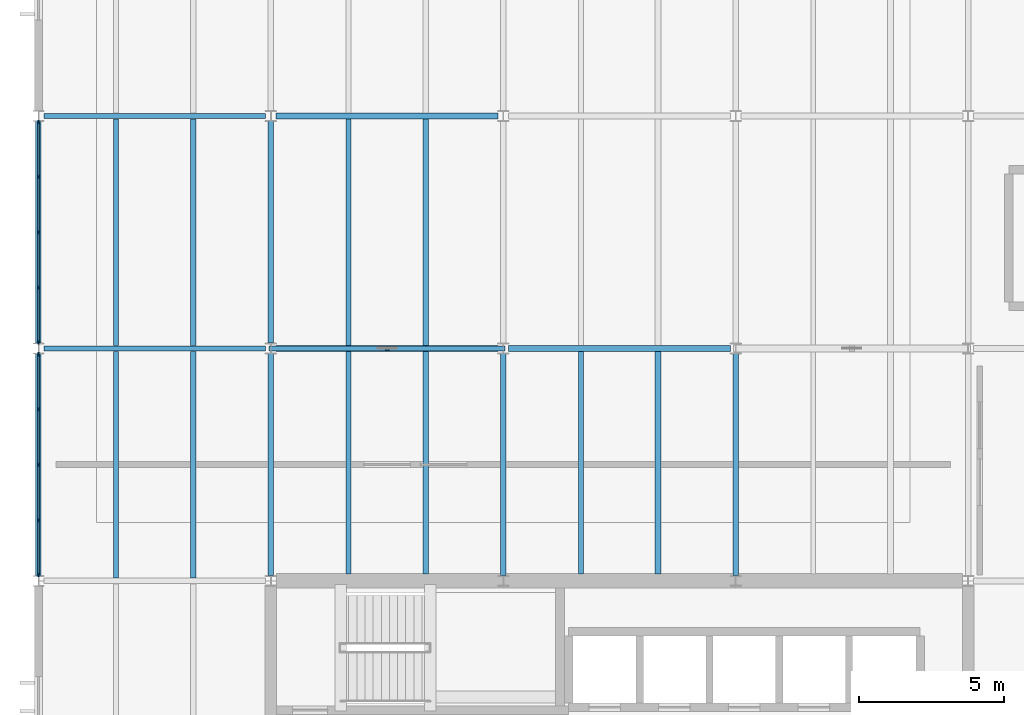
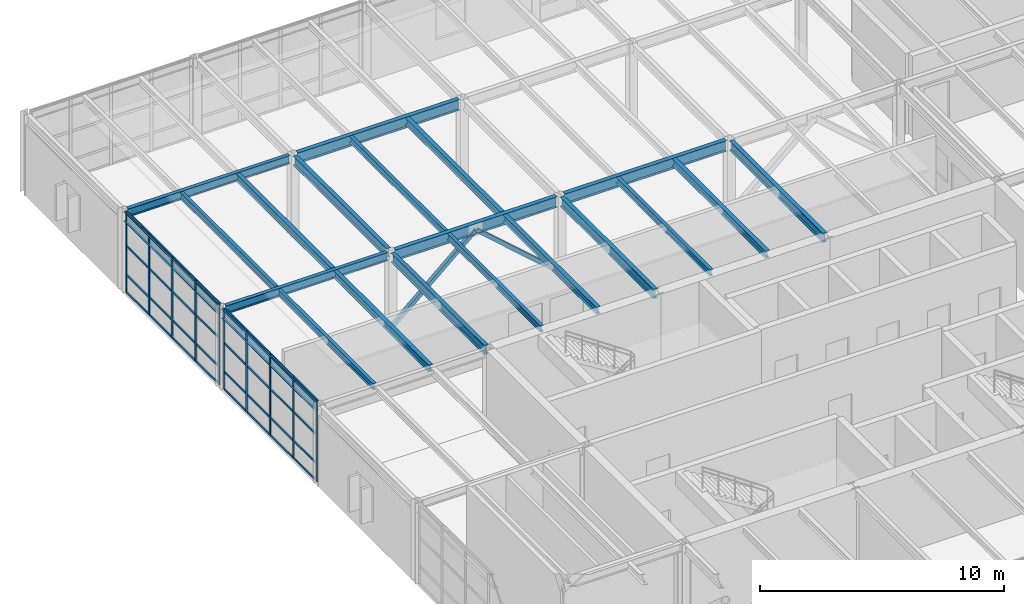
# One storey, part 12 of 34: 44 members, 21 beams, 2 elements without a shape of their own.
"""IFC4 building model written with IfcOpenShell, lengths in metres."""

from ifc_helpers import new_model, si_unit, direction, frame, origin, origin_2d, place, context, subcontext, project, spatial, rectangle, hollow_rectangle, i_section, extrude, material, layer, layer_set, material_profile, profile_set, type_object, element, aggregate, save


model = new_model("IFC4")

# Units and contexts
model_context = context("Model", 3, precision=1e-05, world=origin(), true_north=direction((0.0, 1.0)))
body_context = subcontext(model_context, "Body", "Model", "MODEL_VIEW")
ifc_project = project(units=[si_unit("LENGTHUNIT", "METRE"), si_unit("AREAUNIT", "SQUARE_METRE"), si_unit("VOLUMEUNIT", "CUBIC_METRE"), si_unit("PLANEANGLEUNIT", "RADIAN"), si_unit("MASSUNIT", "GRAM", prefix="KILO")], contexts=[model_context])

# Site, building, storey
site_placement = place(None, origin())
site = spatial("IfcSite", under=ifc_project, at=site_placement, CompositionType="ELEMENT")
building_placement = place(site_placement, origin())
building = spatial("IfcBuilding", under=site, at=building_placement, Name="Varnela Railside Interchange", CompositionType="ELEMENT")
storey_placement = place(building_placement, frame((0.0, 0.0, 19.60009765625)))
storey = spatial("IfcBuildingStorey", under=building, at=storey_placement, Name="L04", CompositionType="ELEMENT", Elevation=19.60009765625)

# Beams
ifc_material_1 = material(Name="Steel AR 350 (350 MPa)", Category="steel")
ifc_material_profile_1 = material_profile(ifc_material_1, i_section(OverallWidth=0.1650390625, OverallDepth=0.31005859375, WebThickness=0.005859375, FlangeThickness=0.009765625, at=origin_2d()), Name="W310x38.7")
ifc_profile_set_1 = profile_set([ifc_material_profile_1], Name="Steel AR 350 (350 MPa)")
beam_type_1 = type_object("IfcBeamType", Name="Composite Floor Joist J-04", PredefinedType="JOIST", material=ifc_profile_set_1)
for number, where, z_axis, x_axis, name in (
    (1, (6.669921875, 70.1044921875, 3.864990234375), (0.0, 1.0, 0.0), (-1.0, 0.0, 0.0), "Composite Floor Joist J-04 (L04) (BM-2374)"),
    (2, (6.669921875, 78.1044921875, 3.864990234375), (0.0, 1.0, 0.0), (-1.0, 0.0, 0.0), "Composite Floor Joist J-04 (L04) (BM-2376)"),
):
    element("IfcBeam", number, at=place(storey_placement, frame(where, z_axis=z_axis, x_axis=x_axis)), inside=storey, type_object=beam_type_1, Name=name, PredefinedType="JOIST", context=body_context, shape_type="SweptSolid", body=[
        extrude(i_section(OverallWidth=0.1650390625, OverallDepth=0.31005859375, WebThickness=0.005859375, FlangeThickness=0.009765625, at=origin_2d()), origin(), (0.0, 0.0, 1.0), 7.791015625),
    ])
beam_1_placement = place(storey_placement, frame((14.669921875, 70.239990234375, 3.864990234375), z_axis=(0.0, 1.0, 0.0), x_axis=(-1.0, 0.0, 0.0)))
element("IfcBeam", 3, at=beam_1_placement, inside=storey, type_object=beam_type_1, Name="Composite Floor Joist J-04 (L04) (BM-2382)", PredefinedType="JOIST", context=body_context, shape_type="SweptSolid", body=[
    extrude(i_section(OverallWidth=0.1650390625, OverallDepth=0.31005859375, WebThickness=0.005859375, FlangeThickness=0.009765625, at=origin_2d()), origin(), (0.0, 0.0, 1.0), 7.655517578125),
])
beam_2_placement = place(storey_placement, frame((14.669921875, 78.1044921875, 3.864990234375), z_axis=(0.0, 1.0, 0.0), x_axis=(-1.0, 0.0, 0.0)))
element("IfcBeam", 4, at=beam_2_placement, inside=storey, type_object=beam_type_1, Name="Composite Floor Joist J-04 (L04) (BM-2384)", PredefinedType="JOIST", context=body_context, shape_type="SweptSolid", body=[
    extrude(i_section(OverallWidth=0.1650390625, OverallDepth=0.31005859375, WebThickness=0.005859375, FlangeThickness=0.009765625, at=origin_2d()), origin(), (0.0, 0.0, 1.0), 7.791015625),
])
beam_3_placement = place(storey_placement, frame((22.669921875, 70.239990234375, 3.864990234375), z_axis=(0.0, 1.0, 0.0), x_axis=(-1.0, 0.0, 0.0)))
element("IfcBeam", 5, at=beam_3_placement, inside=storey, type_object=beam_type_1, Name="Composite Floor Joist J-04 (L04) (BM-2390)", PredefinedType="JOIST", context=body_context, shape_type="SweptSolid", body=[
    extrude(i_section(OverallWidth=0.1650390625, OverallDepth=0.31005859375, WebThickness=0.005859375, FlangeThickness=0.009765625, at=origin_2d()), origin(), (0.0, 0.0, 1.0), 7.655517578125),
])
ifc_material_profile_2 = material_profile(ifc_material_1, i_section(OverallWidth=0.208984375, OverallDepth=0.532958984375, WebThickness=0.01025390625, FlangeThickness=0.015625, at=origin_2d()), Name="W530x92")
ifc_profile_set_2 = profile_set([ifc_material_profile_2], Name="Steel AR 350 (350 MPa)")
beam_type_2 = type_object("IfcBeamType", Name="Composite Girder B-18", PredefinedType="BEAM", material=ifc_profile_set_2)
for number, where, z_axis, x_axis, name in (
    (6, (12.18505859375, 78.0, 3.75341796875), (1.0, 0.0, 0.0), (0.0, 1.0, 0.0), "Composite Girder B-18 (L04) (BM-2452)"),
    (7, (20.18505859375, 78.0, 3.75341796875), (1.0, 0.0, 0.0), (0.0, 1.0, 0.0), "Composite Girder B-18 (L04) (BM-2454)"),
    (8, (12.18505859375, 86.0, 3.75341796875), (1.0, 0.0, 0.0), (0.0, 1.0, 0.0), "Composite Girder B-18 (L04) (BM-2461)"),
):
    element("IfcBeam", number, at=place(storey_placement, frame(where, z_axis=z_axis, x_axis=x_axis)), inside=storey, type_object=beam_type_2, Name=name, PredefinedType="BEAM", context=body_context, shape_type="SweptSolid", body=[
        extrude(i_section(OverallWidth=0.208984375, OverallDepth=0.532958984375, WebThickness=0.01025390625, FlangeThickness=0.015625, at=origin_2d()), origin(), (0.0, 0.0, 1.0), 7.6298828125),
    ])
ifc_material_profile_3 = material_profile(ifc_material_1, i_section(OverallWidth=0.202880859375, OverallDepth=0.346923828125, WebThickness=0.0078125, FlangeThickness=0.013427734375, at=origin_2d()), Name="W360x64")
ifc_profile_set_3 = profile_set([ifc_material_profile_3], Name="Steel AR 350 (350 MPa)")
beam_type_3 = type_object("IfcBeamType", Name="Composite Heavy Joist J-01", PredefinedType="JOIST", material=ifc_profile_set_3)
for number, where, z_axis, x_axis, name in (
    (9, (9.330078125, 70.1044921875, 3.846435546875), (0.0, 1.0, 0.0), (-1.0, 0.0, 0.0), "Composite Heavy Joist J-01 (L04) (BM-2375)"),
    (10, (9.330078125, 78.1044921875, 3.846435546875), (0.0, 1.0, 0.0), (-1.0, 0.0, 0.0), "Composite Heavy Joist J-01 (L04) (BM-2377)"),
):
    element("IfcBeam", number, at=place(storey_placement, frame(where, z_axis=z_axis, x_axis=x_axis)), inside=storey, type_object=beam_type_3, Name=name, PredefinedType="JOIST", context=body_context, shape_type="SweptSolid", body=[
        extrude(i_section(OverallWidth=0.202880859375, OverallDepth=0.346923828125, WebThickness=0.0078125, FlangeThickness=0.013427734375, at=origin_2d()), origin(), (0.0, 0.0, 1.0), 7.791015625),
    ])
beam_4_placement = place(storey_placement, frame((17.330078125, 70.239990234375, 3.846435546875), z_axis=(0.0, 1.0, 0.0), x_axis=(-1.0, 0.0, 0.0)))
element("IfcBeam", 11, at=beam_4_placement, inside=storey, type_object=beam_type_3, Name="Composite Heavy Joist J-01 (L04) (BM-2383)", PredefinedType="JOIST", context=body_context, shape_type="SweptSolid", body=[
    extrude(i_section(OverallWidth=0.202880859375, OverallDepth=0.346923828125, WebThickness=0.0078125, FlangeThickness=0.013427734375, at=origin_2d()), origin(), (0.0, 0.0, 1.0), 7.655517578125),
])
beam_5_placement = place(storey_placement, frame((17.330078125, 78.1044921875, 3.846435546875), z_axis=(0.0, 1.0, 0.0), x_axis=(-1.0, 0.0, 0.0)))
element("IfcBeam", 12, at=beam_5_placement, inside=storey, type_object=beam_type_3, Name="Composite Heavy Joist J-01 (L04) (BM-2385)", PredefinedType="JOIST", context=body_context, shape_type="SweptSolid", body=[
    extrude(i_section(OverallWidth=0.202880859375, OverallDepth=0.346923828125, WebThickness=0.0078125, FlangeThickness=0.013427734375, at=origin_2d()), origin(), (0.0, 0.0, 1.0), 7.791015625),
])
beam_6_placement = place(storey_placement, frame((25.330078125, 70.239990234375, 3.846435546875), z_axis=(0.0, 1.0, 0.0), x_axis=(-1.0, 0.0, 0.0)))
element("IfcBeam", 13, at=beam_6_placement, inside=storey, type_object=beam_type_3, Name="Composite Heavy Joist J-01 (L04) (BM-2391)", PredefinedType="JOIST", context=body_context, shape_type="SweptSolid", body=[
    extrude(i_section(OverallWidth=0.202880859375, OverallDepth=0.346923828125, WebThickness=0.0078125, FlangeThickness=0.013427734375, at=origin_2d()), origin(), (0.0, 0.0, 1.0), 7.655517578125),
])
ifc_material_profile_4 = material_profile(ifc_material_1, i_section(OverallWidth=0.194091796875, OverallDepth=0.468994140625, WebThickness=0.0126953125, FlangeThickness=0.0205078125, at=origin_2d()), Name="W460x106")
ifc_profile_set_4 = profile_set([ifc_material_profile_4], Name="Steel AR 350 (350 MPa)")
beam_type_4 = type_object("IfcBeamType", Name="Composite Primary Beam B-19", PredefinedType="BEAM", material=ifc_profile_set_4)
beam_7_placement = place(storey_placement, frame((12.0, 70.18408203125, 3.785400390625), z_axis=(0.0, 1.0, 0.0), x_axis=(-1.0, 0.0, 0.0)))
element("IfcBeam", 14, at=beam_7_placement, inside=storey, type_object=beam_type_4, Name="Composite Primary Beam B-19 (L04) (BM-2504)", PredefinedType="BEAM", context=body_context, shape_type="SweptSolid", body=[
    extrude(i_section(OverallWidth=0.194091796875, OverallDepth=0.468994140625, WebThickness=0.0126953125, FlangeThickness=0.0205078125, at=origin_2d()), origin(), (0.0, 0.0, 1.0), 7.635986328125),
])
beam_8_placement = place(storey_placement, frame((12.0, 78.179931640625, 3.785400390625), z_axis=(0.0, 1.0, 0.0), x_axis=(-1.0, 0.0, 0.0)))
element("IfcBeam", 15, at=beam_8_placement, inside=storey, type_object=beam_type_4, Name="Composite Primary Beam B-19 (L04) (BM-2505)", PredefinedType="BEAM", context=body_context, shape_type="SweptSolid", body=[
    extrude(i_section(OverallWidth=0.194091796875, OverallDepth=0.468994140625, WebThickness=0.0126953125, FlangeThickness=0.0205078125, at=origin_2d()), origin(), (0.0, 0.0, 1.0), 7.64013671875),
])
for number, where, z_axis, x_axis, name in (
    (16, (20.0, 70.18408203125, 3.785400390625), (0.0, 1.0, 0.0), (-1.0, 0.0, 0.0), "Composite Primary Beam B-19 (L04) (BM-2508)"),
    (17, (28.0, 70.18408203125, 3.785400390625), (0.0, 1.0, 0.0), (-1.0, 0.0, 0.0), "Composite Primary Beam B-19 (L04) (BM-2512)"),
):
    element("IfcBeam", number, at=place(storey_placement, frame(where, z_axis=z_axis, x_axis=x_axis)), inside=storey, type_object=beam_type_4, Name=name, PredefinedType="BEAM", context=body_context, shape_type="SweptSolid", body=[
        extrude(i_section(OverallWidth=0.194091796875, OverallDepth=0.468994140625, WebThickness=0.0126953125, FlangeThickness=0.0205078125, at=origin_2d()), origin(), (0.0, 0.0, 1.0), 7.635986328125),
    ])

# Members
ifc_material_profile_5 = material_profile(ifc_material_1, hollow_rectangle(XDim=0.179931640625, YDim=0.179931640625, WallThickness=0.010009765625, at=origin_2d()), Name="HSS 180x180x10")
ifc_profile_set_5 = profile_set([ifc_material_profile_5], Name="Steel AR 350 (350 MPa)")
member_type_1 = type_object("IfcMemberType", Name="Crown Chevron Brace BR-07", PredefinedType="BRACE", material=ifc_profile_set_5)
for number, where, z_axis, x_axis, name in (
    (18, (12.0, 78.0, 0.14990234375), (0.750711699002, 0.0, 0.660629960706), (0.0, 1.0, 0.0), "Crown Chevron Brace BR-07 (L04) (MB-0162)"),
    (19, (20.0, 78.0, 0.14990234375), (-0.750711699002, 0.0, 0.660629960706), (0.0, -1.0, 0.0), "Crown Chevron Brace BR-07 (L04) (MB-0163)"),
):
    element("IfcMember", number, at=place(storey_placement, frame(where, z_axis=z_axis, x_axis=x_axis)), inside=storey, type_object=member_type_1, Name=name, PredefinedType="BRACE", context=body_context, shape_type="SweptSolid", body=[
        extrude(hollow_rectangle(XDim=0.179931640625, YDim=0.179931640625, WallThickness=0.010009765625, at=origin_2d()), origin(), (0.0, 0.0, 1.0), 5.328369140625),
    ])

# Curtain wall, members
ifc_material_2 = material(Name="Aluminium 6063-T6", Category="aluminium")
ifc_layer = layer(ifc_material_2, 0.035888671875)
ifc_layer_set = layer_set([ifc_layer], Name="Aluminium 6063-T6")
curtain_wall_type = type_object("IfcCurtainWallType", Name="Operations Wing Facade Curtain Wall CW-03", PredefinedType="USERDEFINED", material=ifc_layer_set)
curtain_wall_1_placement = place(storey_placement, origin())
curtain_wall_1 = element("IfcCurtainWall", 20, at=curtain_wall_1_placement, inside=storey, type_object=curtain_wall_type, Name="Curtain Wall CW-03 (L04) (CW-103)", ObjectType="CURTAIN WALL", PredefinedType="USERDEFINED")
ifc_material_profile_6 = material_profile(ifc_material_2, rectangle(XDim=0.06005859375, YDim=0.139892578125, at=origin_2d()), Name="ALU 60x140")
ifc_profile_set_6 = profile_set([ifc_material_profile_6], Name="Aluminium 6063-T6")
member_type_2 = type_object("IfcMemberType", Name="Curtain Wall Mullion ML-01", PredefinedType="MULLION", material=ifc_profile_set_6)
member_1_placement = place(storey_placement, frame((4.0, 70.2099609375, 0.0), z_axis=(0.0, 0.0, 1.0), x_axis=(-1.0, 0.0, 0.0)))
member_1 = element("IfcMember", 21, at=member_1_placement, type_object=member_type_2, Name="CW-03 mullion 1", PredefinedType="MULLION", context=body_context, shape_type="SweptSolid", body=[
    extrude(rectangle(XDim=0.06005859375, YDim=0.139892578125, at=origin_2d()), origin(), (0.0, 0.0, 1.0), 4.02001953125),
])
member_2_placement = place(storey_placement, frame((4.0, 72.090087890625, 0.0), z_axis=(0.0, 0.0, 1.0), x_axis=(-1.0, 0.0, 0.0)))
member_2 = element("IfcMember", 22, at=member_2_placement, type_object=member_type_2, Name="CW-03 mullion 2", PredefinedType="MULLION", context=body_context, shape_type="SweptSolid", body=[
    extrude(rectangle(XDim=0.06005859375, YDim=0.139892578125, at=origin_2d()), origin(), (0.0, 0.0, 1.0), 4.02001953125),
])
member_3_placement = place(storey_placement, frame((4.0, 74.0, 0.0), z_axis=(0.0, 0.0, 1.0), x_axis=(-1.0, 0.0, 0.0)))
member_3 = element("IfcMember", 23, at=member_3_placement, type_object=member_type_2, Name="CW-03 mullion 3", PredefinedType="MULLION", context=body_context, shape_type="SweptSolid", body=[
    extrude(rectangle(XDim=0.06005859375, YDim=0.139892578125, at=origin_2d()), origin(), (0.0, 0.0, 1.0), 4.02001953125),
])
member_4_placement = place(storey_placement, frame((4.0, 75.909912109375, 0.0), z_axis=(0.0, 0.0, 1.0), x_axis=(-1.0, 0.0, 0.0)))
member_4 = element("IfcMember", 24, at=member_4_placement, type_object=member_type_2, Name="CW-03 mullion 4", PredefinedType="MULLION", context=body_context, shape_type="SweptSolid", body=[
    extrude(rectangle(XDim=0.06005859375, YDim=0.139892578125, at=origin_2d()), origin(), (0.0, 0.0, 1.0), 4.02001953125),
])
member_5_placement = place(storey_placement, frame((4.0, 77.7900390625, 0.0), z_axis=(0.0, 0.0, 1.0), x_axis=(-1.0, 0.0, 0.0)))
member_5 = element("IfcMember", 25, at=member_5_placement, type_object=member_type_2, Name="CW-03 mullion 5", PredefinedType="MULLION", context=body_context, shape_type="SweptSolid", body=[
    extrude(rectangle(XDim=0.06005859375, YDim=0.139892578125, at=origin_2d()), origin(), (0.0, 0.0, 1.0), 4.02001953125),
])

curtain_wall_2_placement = place(storey_placement, origin())
curtain_wall_2 = element("IfcCurtainWall", 26, at=curtain_wall_2_placement, inside=storey, type_object=curtain_wall_type, Name="Curtain Wall CW-03 (L04) (CW-104)", ObjectType="CURTAIN WALL", PredefinedType="USERDEFINED")
member_6_placement = place(storey_placement, frame((4.0, 78.2099609375, 0.0), z_axis=(0.0, 0.0, 1.0), x_axis=(-1.0, 0.0, 0.0)))
member_6 = element("IfcMember", 27, at=member_6_placement, type_object=member_type_2, Name="CW-03 mullion 1", PredefinedType="MULLION", context=body_context, shape_type="SweptSolid", body=[
    extrude(rectangle(XDim=0.06005859375, YDim=0.139892578125, at=origin_2d()), origin(), (0.0, 0.0, 1.0), 4.02001953125),
])
member_7_placement = place(storey_placement, frame((4.0, 80.090087890625, 0.0), z_axis=(0.0, 0.0, 1.0), x_axis=(-1.0, 0.0, 0.0)))
member_7 = element("IfcMember", 28, at=member_7_placement, type_object=member_type_2, Name="CW-03 mullion 2", PredefinedType="MULLION", context=body_context, shape_type="SweptSolid", body=[
    extrude(rectangle(XDim=0.06005859375, YDim=0.139892578125, at=origin_2d()), origin(), (0.0, 0.0, 1.0), 4.02001953125),
])
member_8_placement = place(storey_placement, frame((4.0, 82.0, 0.0), z_axis=(0.0, 0.0, 1.0), x_axis=(-1.0, 0.0, 0.0)))
member_8 = element("IfcMember", 29, at=member_8_placement, type_object=member_type_2, Name="CW-03 mullion 3", PredefinedType="MULLION", context=body_context, shape_type="SweptSolid", body=[
    extrude(rectangle(XDim=0.06005859375, YDim=0.139892578125, at=origin_2d()), origin(), (0.0, 0.0, 1.0), 4.02001953125),
])
member_9_placement = place(storey_placement, frame((4.0, 83.909912109375, 0.0), z_axis=(0.0, 0.0, 1.0), x_axis=(-1.0, 0.0, 0.0)))
member_9 = element("IfcMember", 30, at=member_9_placement, type_object=member_type_2, Name="CW-03 mullion 4", PredefinedType="MULLION", context=body_context, shape_type="SweptSolid", body=[
    extrude(rectangle(XDim=0.06005859375, YDim=0.139892578125, at=origin_2d()), origin(), (0.0, 0.0, 1.0), 4.02001953125),
])
member_10_placement = place(storey_placement, frame((4.0, 85.7900390625, 0.0), z_axis=(0.0, 0.0, 1.0), x_axis=(-1.0, 0.0, 0.0)))
member_10 = element("IfcMember", 31, at=member_10_placement, type_object=member_type_2, Name="CW-03 mullion 5", PredefinedType="MULLION", context=body_context, shape_type="SweptSolid", body=[
    extrude(rectangle(XDim=0.06005859375, YDim=0.139892578125, at=origin_2d()), origin(), (0.0, 0.0, 1.0), 4.02001953125),
])

# Member
ifc_material_profile_7 = material_profile(ifc_material_2, rectangle(XDim=0.06005859375, YDim=0.110107421875, at=origin_2d()), Name="ALU 60x110")
ifc_profile_set_7 = profile_set([ifc_material_profile_7], Name="Aluminium 6063-T6")
member_type_3 = type_object("IfcMemberType", Name="Curtain Wall Transom TR-01", PredefinedType="USERDEFINED", material=ifc_profile_set_7)
member_11_placement = place(storey_placement, frame((4.0, 70.239990234375, 0.02978515625), z_axis=(0.0, 1.0, 0.0), x_axis=(-1.0, 0.0, 0.0)))
member_11 = element("IfcMember", 32, at=member_11_placement, type_object=member_type_3, Name="CW-03 transom 1.1", ObjectType="TRANSOM", PredefinedType="USERDEFINED", context=body_context, shape_type="SweptSolid", body=[
    extrude(rectangle(XDim=0.06005859375, YDim=0.110107421875, at=origin_2d()), origin(), (0.0, 0.0, 1.0), 1.820068359375),
])

member_12_placement = place(storey_placement, frame((4.0, 70.239990234375, 0.89990234375), z_axis=(0.0, 1.0, 0.0), x_axis=(-1.0, 0.0, 0.0)))
member_12 = element("IfcMember", 33, at=member_12_placement, type_object=member_type_3, Name="CW-03 transom 1.2", ObjectType="TRANSOM", PredefinedType="USERDEFINED", context=body_context, shape_type="SweptSolid", body=[
    extrude(rectangle(XDim=0.06005859375, YDim=0.110107421875, at=origin_2d()), origin(), (0.0, 0.0, 1.0), 1.820068359375),
])

member_13_placement = place(storey_placement, frame((4.0, 70.239990234375, 2.33154296875), z_axis=(0.0, 1.0, 0.0), x_axis=(-1.0, 0.0, 0.0)))
member_13 = element("IfcMember", 34, at=member_13_placement, type_object=member_type_3, Name="CW-03 transom 1.3", ObjectType="TRANSOM", PredefinedType="USERDEFINED", context=body_context, shape_type="SweptSolid", body=[
    extrude(rectangle(XDim=0.06005859375, YDim=0.110107421875, at=origin_2d()), origin(), (0.0, 0.0, 1.0), 1.820068359375),
])

member_14_placement = place(storey_placement, frame((4.0, 70.239990234375, 3.989990234375), z_axis=(0.0, 1.0, 0.0), x_axis=(-1.0, 0.0, 0.0)))
member_14 = element("IfcMember", 35, at=member_14_placement, type_object=member_type_3, Name="CW-03 transom 1.4", ObjectType="TRANSOM", PredefinedType="USERDEFINED", context=body_context, shape_type="SweptSolid", body=[
    extrude(rectangle(XDim=0.06005859375, YDim=0.110107421875, at=origin_2d()), origin(), (0.0, 0.0, 1.0), 1.820068359375),
])

member_15_placement = place(storey_placement, frame((4.0, 72.1201171875, 0.02978515625), z_axis=(0.0, 1.0, 0.0), x_axis=(-1.0, 0.0, 0.0)))
member_15 = element("IfcMember", 36, at=member_15_placement, type_object=member_type_3, Name="CW-03 transom 2.1", ObjectType="TRANSOM", PredefinedType="USERDEFINED", context=body_context, shape_type="SweptSolid", body=[
    extrude(rectangle(XDim=0.06005859375, YDim=0.110107421875, at=origin_2d()), origin(), (0.0, 0.0, 1.0), 1.849853515625),
])

member_16_placement = place(storey_placement, frame((4.0, 72.1201171875, 0.89990234375), z_axis=(0.0, 1.0, 0.0), x_axis=(-1.0, 0.0, 0.0)))
member_16 = element("IfcMember", 37, at=member_16_placement, type_object=member_type_3, Name="CW-03 transom 2.2", ObjectType="TRANSOM", PredefinedType="USERDEFINED", context=body_context, shape_type="SweptSolid", body=[
    extrude(rectangle(XDim=0.06005859375, YDim=0.110107421875, at=origin_2d()), origin(), (0.0, 0.0, 1.0), 1.849853515625),
])

member_17_placement = place(storey_placement, frame((4.0, 72.1201171875, 2.33154296875), z_axis=(0.0, 1.0, 0.0), x_axis=(-1.0, 0.0, 0.0)))
member_17 = element("IfcMember", 38, at=member_17_placement, type_object=member_type_3, Name="CW-03 transom 2.3", ObjectType="TRANSOM", PredefinedType="USERDEFINED", context=body_context, shape_type="SweptSolid", body=[
    extrude(rectangle(XDim=0.06005859375, YDim=0.110107421875, at=origin_2d()), origin(), (0.0, 0.0, 1.0), 1.849853515625),
])

member_18_placement = place(storey_placement, frame((4.0, 72.1201171875, 3.989990234375), z_axis=(0.0, 1.0, 0.0), x_axis=(-1.0, 0.0, 0.0)))
member_18 = element("IfcMember", 39, at=member_18_placement, type_object=member_type_3, Name="CW-03 transom 2.4", ObjectType="TRANSOM", PredefinedType="USERDEFINED", context=body_context, shape_type="SweptSolid", body=[
    extrude(rectangle(XDim=0.06005859375, YDim=0.110107421875, at=origin_2d()), origin(), (0.0, 0.0, 1.0), 1.849853515625),
])

member_19_placement = place(storey_placement, frame((4.0, 74.030029296875, 0.02978515625), z_axis=(0.0, 1.0, 0.0), x_axis=(-1.0, 0.0, 0.0)))
member_19 = element("IfcMember", 40, at=member_19_placement, type_object=member_type_3, Name="CW-03 transom 3.1", ObjectType="TRANSOM", PredefinedType="USERDEFINED", context=body_context, shape_type="SweptSolid", body=[
    extrude(rectangle(XDim=0.06005859375, YDim=0.110107421875, at=origin_2d()), origin(), (0.0, 0.0, 1.0), 1.849853515625),
])

member_20_placement = place(storey_placement, frame((4.0, 74.030029296875, 0.89990234375), z_axis=(0.0, 1.0, 0.0), x_axis=(-1.0, 0.0, 0.0)))
member_20 = element("IfcMember", 41, at=member_20_placement, type_object=member_type_3, Name="CW-03 transom 3.2", ObjectType="TRANSOM", PredefinedType="USERDEFINED", context=body_context, shape_type="SweptSolid", body=[
    extrude(rectangle(XDim=0.06005859375, YDim=0.110107421875, at=origin_2d()), origin(), (0.0, 0.0, 1.0), 1.849853515625),
])

member_21_placement = place(storey_placement, frame((4.0, 74.030029296875, 2.33154296875), z_axis=(0.0, 1.0, 0.0), x_axis=(-1.0, 0.0, 0.0)))
member_21 = element("IfcMember", 42, at=member_21_placement, type_object=member_type_3, Name="CW-03 transom 3.3", ObjectType="TRANSOM", PredefinedType="USERDEFINED", context=body_context, shape_type="SweptSolid", body=[
    extrude(rectangle(XDim=0.06005859375, YDim=0.110107421875, at=origin_2d()), origin(), (0.0, 0.0, 1.0), 1.849853515625),
])

member_22_placement = place(storey_placement, frame((4.0, 74.030029296875, 3.989990234375), z_axis=(0.0, 1.0, 0.0), x_axis=(-1.0, 0.0, 0.0)))
member_22 = element("IfcMember", 43, at=member_22_placement, type_object=member_type_3, Name="CW-03 transom 3.4", ObjectType="TRANSOM", PredefinedType="USERDEFINED", context=body_context, shape_type="SweptSolid", body=[
    extrude(rectangle(XDim=0.06005859375, YDim=0.110107421875, at=origin_2d()), origin(), (0.0, 0.0, 1.0), 1.849853515625),
])

member_23_placement = place(storey_placement, frame((4.0, 75.93994140625, 0.02978515625), z_axis=(0.0, 1.0, 0.0), x_axis=(-1.0, 0.0, 0.0)))
member_23 = element("IfcMember", 44, at=member_23_placement, type_object=member_type_3, Name="CW-03 transom 4.1", ObjectType="TRANSOM", PredefinedType="USERDEFINED", context=body_context, shape_type="SweptSolid", body=[
    extrude(rectangle(XDim=0.06005859375, YDim=0.110107421875, at=origin_2d()), origin(), (0.0, 0.0, 1.0), 1.820068359375),
])

member_24_placement = place(storey_placement, frame((4.0, 75.93994140625, 0.89990234375), z_axis=(0.0, 1.0, 0.0), x_axis=(-1.0, 0.0, 0.0)))
member_24 = element("IfcMember", 45, at=member_24_placement, type_object=member_type_3, Name="CW-03 transom 4.2", ObjectType="TRANSOM", PredefinedType="USERDEFINED", context=body_context, shape_type="SweptSolid", body=[
    extrude(rectangle(XDim=0.06005859375, YDim=0.110107421875, at=origin_2d()), origin(), (0.0, 0.0, 1.0), 1.820068359375),
])

member_25_placement = place(storey_placement, frame((4.0, 75.93994140625, 2.33154296875), z_axis=(0.0, 1.0, 0.0), x_axis=(-1.0, 0.0, 0.0)))
member_25 = element("IfcMember", 46, at=member_25_placement, type_object=member_type_3, Name="CW-03 transom 4.3", ObjectType="TRANSOM", PredefinedType="USERDEFINED", context=body_context, shape_type="SweptSolid", body=[
    extrude(rectangle(XDim=0.06005859375, YDim=0.110107421875, at=origin_2d()), origin(), (0.0, 0.0, 1.0), 1.820068359375),
])

member_26_placement = place(storey_placement, frame((4.0, 75.93994140625, 3.989990234375), z_axis=(0.0, 1.0, 0.0), x_axis=(-1.0, 0.0, 0.0)))
member_26 = element("IfcMember", 47, at=member_26_placement, type_object=member_type_3, Name="CW-03 transom 4.4", ObjectType="TRANSOM", PredefinedType="USERDEFINED", context=body_context, shape_type="SweptSolid", body=[
    extrude(rectangle(XDim=0.06005859375, YDim=0.110107421875, at=origin_2d()), origin(), (0.0, 0.0, 1.0), 1.820068359375),
])

aggregate(curtain_wall_1, [member_1, member_2, member_3, member_4, member_5, member_11, member_12, member_13, member_14, member_15, member_16, member_17, member_18, member_19, member_20, member_21, member_22, member_23, member_24, member_25, member_26])

member_27_placement = place(storey_placement, frame((4.0, 78.239990234375, 0.02978515625), z_axis=(0.0, 1.0, 0.0), x_axis=(-1.0, 0.0, 0.0)))
member_27 = element("IfcMember", 48, at=member_27_placement, type_object=member_type_3, Name="CW-03 transom 1.1", ObjectType="TRANSOM", PredefinedType="USERDEFINED", context=body_context, shape_type="SweptSolid", body=[
    extrude(rectangle(XDim=0.06005859375, YDim=0.110107421875, at=origin_2d()), origin(), (0.0, 0.0, 1.0), 1.820068359375),
])

member_28_placement = place(storey_placement, frame((4.0, 78.239990234375, 0.89990234375), z_axis=(0.0, 1.0, 0.0), x_axis=(-1.0, 0.0, 0.0)))
member_28 = element("IfcMember", 49, at=member_28_placement, type_object=member_type_3, Name="CW-03 transom 1.2", ObjectType="TRANSOM", PredefinedType="USERDEFINED", context=body_context, shape_type="SweptSolid", body=[
    extrude(rectangle(XDim=0.06005859375, YDim=0.110107421875, at=origin_2d()), origin(), (0.0, 0.0, 1.0), 1.820068359375),
])

member_29_placement = place(storey_placement, frame((4.0, 78.239990234375, 2.33154296875), z_axis=(0.0, 1.0, 0.0), x_axis=(-1.0, 0.0, 0.0)))
member_29 = element("IfcMember", 50, at=member_29_placement, type_object=member_type_3, Name="CW-03 transom 1.3", ObjectType="TRANSOM", PredefinedType="USERDEFINED", context=body_context, shape_type="SweptSolid", body=[
    extrude(rectangle(XDim=0.06005859375, YDim=0.110107421875, at=origin_2d()), origin(), (0.0, 0.0, 1.0), 1.820068359375),
])

member_30_placement = place(storey_placement, frame((4.0, 78.239990234375, 3.989990234375), z_axis=(0.0, 1.0, 0.0), x_axis=(-1.0, 0.0, 0.0)))
member_30 = element("IfcMember", 51, at=member_30_placement, type_object=member_type_3, Name="CW-03 transom 1.4", ObjectType="TRANSOM", PredefinedType="USERDEFINED", context=body_context, shape_type="SweptSolid", body=[
    extrude(rectangle(XDim=0.06005859375, YDim=0.110107421875, at=origin_2d()), origin(), (0.0, 0.0, 1.0), 1.820068359375),
])

member_31_placement = place(storey_placement, frame((4.0, 80.1201171875, 0.02978515625), z_axis=(0.0, 1.0, 0.0), x_axis=(-1.0, 0.0, 0.0)))
member_31 = element("IfcMember", 52, at=member_31_placement, type_object=member_type_3, Name="CW-03 transom 2.1", ObjectType="TRANSOM", PredefinedType="USERDEFINED", context=body_context, shape_type="SweptSolid", body=[
    extrude(rectangle(XDim=0.06005859375, YDim=0.110107421875, at=origin_2d()), origin(), (0.0, 0.0, 1.0), 1.849853515625),
])

member_32_placement = place(storey_placement, frame((4.0, 80.1201171875, 0.89990234375), z_axis=(0.0, 1.0, 0.0), x_axis=(-1.0, 0.0, 0.0)))
member_32 = element("IfcMember", 53, at=member_32_placement, type_object=member_type_3, Name="CW-03 transom 2.2", ObjectType="TRANSOM", PredefinedType="USERDEFINED", context=body_context, shape_type="SweptSolid", body=[
    extrude(rectangle(XDim=0.06005859375, YDim=0.110107421875, at=origin_2d()), origin(), (0.0, 0.0, 1.0), 1.849853515625),
])

member_33_placement = place(storey_placement, frame((4.0, 80.1201171875, 2.33154296875), z_axis=(0.0, 1.0, 0.0), x_axis=(-1.0, 0.0, 0.0)))
member_33 = element("IfcMember", 54, at=member_33_placement, type_object=member_type_3, Name="CW-03 transom 2.3", ObjectType="TRANSOM", PredefinedType="USERDEFINED", context=body_context, shape_type="SweptSolid", body=[
    extrude(rectangle(XDim=0.06005859375, YDim=0.110107421875, at=origin_2d()), origin(), (0.0, 0.0, 1.0), 1.849853515625),
])

member_34_placement = place(storey_placement, frame((4.0, 80.1201171875, 3.989990234375), z_axis=(0.0, 1.0, 0.0), x_axis=(-1.0, 0.0, 0.0)))
member_34 = element("IfcMember", 55, at=member_34_placement, type_object=member_type_3, Name="CW-03 transom 2.4", ObjectType="TRANSOM", PredefinedType="USERDEFINED", context=body_context, shape_type="SweptSolid", body=[
    extrude(rectangle(XDim=0.06005859375, YDim=0.110107421875, at=origin_2d()), origin(), (0.0, 0.0, 1.0), 1.849853515625),
])

member_35_placement = place(storey_placement, frame((4.0, 82.030029296875, 0.02978515625), z_axis=(0.0, 1.0, 0.0), x_axis=(-1.0, 0.0, 0.0)))
member_35 = element("IfcMember", 56, at=member_35_placement, type_object=member_type_3, Name="CW-03 transom 3.1", ObjectType="TRANSOM", PredefinedType="USERDEFINED", context=body_context, shape_type="SweptSolid", body=[
    extrude(rectangle(XDim=0.06005859375, YDim=0.110107421875, at=origin_2d()), origin(), (0.0, 0.0, 1.0), 1.849853515625),
])

member_36_placement = place(storey_placement, frame((4.0, 82.030029296875, 0.89990234375), z_axis=(0.0, 1.0, 0.0), x_axis=(-1.0, 0.0, 0.0)))
member_36 = element("IfcMember", 57, at=member_36_placement, type_object=member_type_3, Name="CW-03 transom 3.2", ObjectType="TRANSOM", PredefinedType="USERDEFINED", context=body_context, shape_type="SweptSolid", body=[
    extrude(rectangle(XDim=0.06005859375, YDim=0.110107421875, at=origin_2d()), origin(), (0.0, 0.0, 1.0), 1.849853515625),
])

member_37_placement = place(storey_placement, frame((4.0, 82.030029296875, 2.33154296875), z_axis=(0.0, 1.0, 0.0), x_axis=(-1.0, 0.0, 0.0)))
member_37 = element("IfcMember", 58, at=member_37_placement, type_object=member_type_3, Name="CW-03 transom 3.3", ObjectType="TRANSOM", PredefinedType="USERDEFINED", context=body_context, shape_type="SweptSolid", body=[
    extrude(rectangle(XDim=0.06005859375, YDim=0.110107421875, at=origin_2d()), origin(), (0.0, 0.0, 1.0), 1.849853515625),
])

member_38_placement = place(storey_placement, frame((4.0, 82.030029296875, 3.989990234375), z_axis=(0.0, 1.0, 0.0), x_axis=(-1.0, 0.0, 0.0)))
member_38 = element("IfcMember", 59, at=member_38_placement, type_object=member_type_3, Name="CW-03 transom 3.4", ObjectType="TRANSOM", PredefinedType="USERDEFINED", context=body_context, shape_type="SweptSolid", body=[
    extrude(rectangle(XDim=0.06005859375, YDim=0.110107421875, at=origin_2d()), origin(), (0.0, 0.0, 1.0), 1.849853515625),
])

member_39_placement = place(storey_placement, frame((4.0, 83.93994140625, 0.02978515625), z_axis=(0.0, 1.0, 0.0), x_axis=(-1.0, 0.0, 0.0)))
member_39 = element("IfcMember", 60, at=member_39_placement, type_object=member_type_3, Name="CW-03 transom 4.1", ObjectType="TRANSOM", PredefinedType="USERDEFINED", context=body_context, shape_type="SweptSolid", body=[
    extrude(rectangle(XDim=0.06005859375, YDim=0.110107421875, at=origin_2d()), origin(), (0.0, 0.0, 1.0), 1.820068359375),
])

member_40_placement = place(storey_placement, frame((4.0, 83.93994140625, 0.89990234375), z_axis=(0.0, 1.0, 0.0), x_axis=(-1.0, 0.0, 0.0)))
member_40 = element("IfcMember", 61, at=member_40_placement, type_object=member_type_3, Name="CW-03 transom 4.2", ObjectType="TRANSOM", PredefinedType="USERDEFINED", context=body_context, shape_type="SweptSolid", body=[
    extrude(rectangle(XDim=0.06005859375, YDim=0.110107421875, at=origin_2d()), origin(), (0.0, 0.0, 1.0), 1.820068359375),
])

member_41_placement = place(storey_placement, frame((4.0, 83.93994140625, 2.33154296875), z_axis=(0.0, 1.0, 0.0), x_axis=(-1.0, 0.0, 0.0)))
member_41 = element("IfcMember", 62, at=member_41_placement, type_object=member_type_3, Name="CW-03 transom 4.3", ObjectType="TRANSOM", PredefinedType="USERDEFINED", context=body_context, shape_type="SweptSolid", body=[
    extrude(rectangle(XDim=0.06005859375, YDim=0.110107421875, at=origin_2d()), origin(), (0.0, 0.0, 1.0), 1.820068359375),
])

member_42_placement = place(storey_placement, frame((4.0, 83.93994140625, 3.989990234375), z_axis=(0.0, 1.0, 0.0), x_axis=(-1.0, 0.0, 0.0)))
member_42 = element("IfcMember", 63, at=member_42_placement, type_object=member_type_3, Name="CW-03 transom 4.4", ObjectType="TRANSOM", PredefinedType="USERDEFINED", context=body_context, shape_type="SweptSolid", body=[
    extrude(rectangle(XDim=0.06005859375, YDim=0.110107421875, at=origin_2d()), origin(), (0.0, 0.0, 1.0), 1.820068359375),
])

aggregate(curtain_wall_2, [member_6, member_7, member_8, member_9, member_10, member_27, member_28, member_29, member_30, member_31, member_32, member_33, member_34, member_35, member_36, member_37, member_38, member_39, member_40, member_41, member_42])

# Beams
ifc_material_profile_8 = material_profile(ifc_material_1, i_section(OverallWidth=0.19091796875, OverallDepth=0.4599609375, WebThickness=0.010009765625, FlangeThickness=0.01611328125, at=origin_2d()), Name="W460x82")
ifc_profile_set_8 = profile_set([ifc_material_profile_8], Name="Steel AR 350 (350 MPa)")
beam_type_5 = type_object("IfcBeamType", Name="Steel Perimeter Spandrel SP-01", PredefinedType="SPANDREL", material=ifc_profile_set_8)
for number, where, z_axis, x_axis, name in (
    (64, (4.0, 70.179931640625, 3.789794921875), (0.0, 1.0, 0.0), (-1.0, 0.0, 0.0), "Steel Perimeter Spandrel SP-01 (L04) (BM-2500)"),
    (65, (4.0, 78.179931640625, 3.789794921875), (0.0, 1.0, 0.0), (-1.0, 0.0, 0.0), "Steel Perimeter Spandrel SP-01 (L04) (BM-2501)"),
):
    element("IfcBeam", number, at=place(storey_placement, frame(where, z_axis=z_axis, x_axis=x_axis)), inside=storey, type_object=beam_type_5, Name=name, PredefinedType="SPANDREL", context=body_context, shape_type="SweptSolid", body=[
        extrude(i_section(OverallWidth=0.19091796875, OverallDepth=0.4599609375, WebThickness=0.010009765625, FlangeThickness=0.01611328125, at=origin_2d()), origin(), (0.0, 0.0, 1.0), 7.64013671875),
    ])
ifc_material_profile_9 = material_profile(ifc_material_1, i_section(OverallWidth=0.178955078125, OverallDepth=0.409912109375, WebThickness=0.0087890625, FlangeThickness=0.014404296875, at=origin_2d()), Name="W410x67")
ifc_profile_set_9 = profile_set([ifc_material_profile_9], Name="Steel AR 350 (350 MPa)")
beam_type_6 = type_object("IfcBeamType", Name="Steel Terrace Spandrel SP-02", PredefinedType="SPANDREL", material=ifc_profile_set_9)
for number, where, z_axis, x_axis, name in (
    (66, (4.18505859375, 78.0, 3.81494140625), (1.0, 0.0, 0.0), (0.0, 1.0, 0.0), "Steel Terrace Spandrel SP-02 (L04) (BM-2458)"),
    (67, (4.18505859375, 86.0, 3.81494140625), (1.0, 0.0, 0.0), (0.0, 1.0, 0.0), "Steel Terrace Spandrel SP-02 (L04) (BM-2467)"),
):
    element("IfcBeam", number, at=place(storey_placement, frame(where, z_axis=z_axis, x_axis=x_axis)), inside=storey, type_object=beam_type_6, Name=name, PredefinedType="SPANDREL", context=body_context, shape_type="SweptSolid", body=[
        extrude(i_section(OverallWidth=0.178955078125, OverallDepth=0.409912109375, WebThickness=0.0087890625, FlangeThickness=0.014404296875, at=origin_2d()), origin(), (0.0, 0.0, 1.0), 7.6298828125),
    ])

save(model, "model.ifc")
